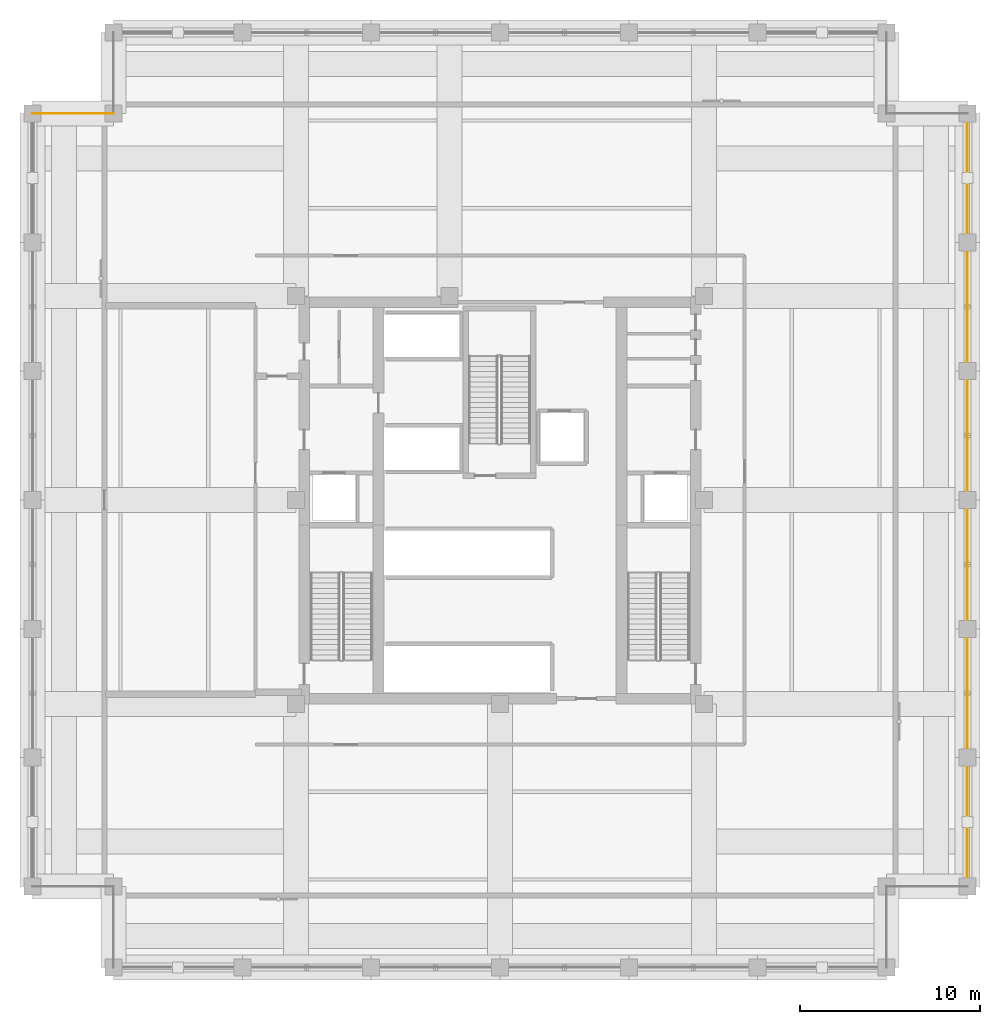
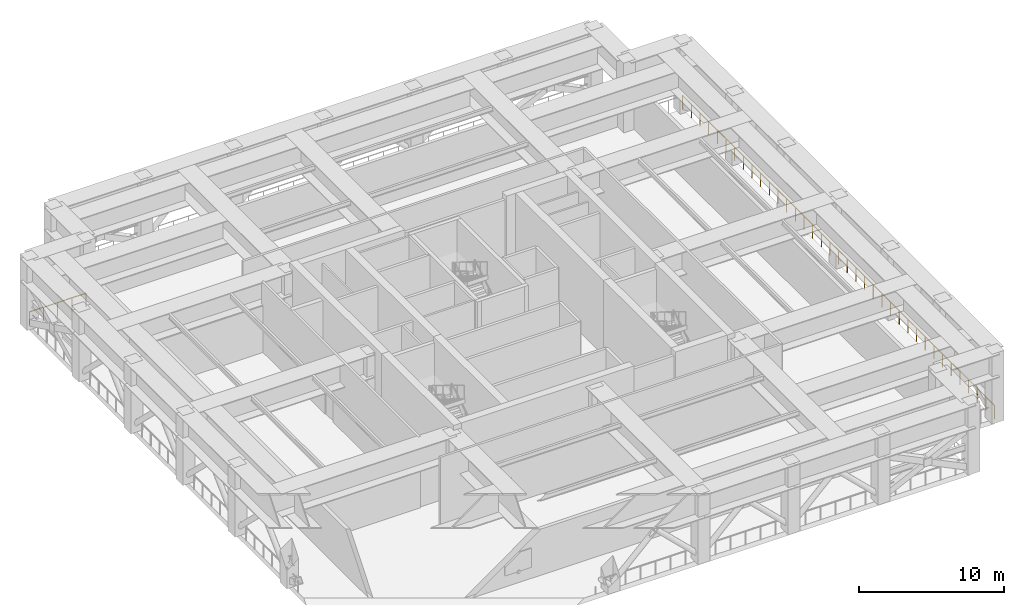
# One storey, part 10 of 12: 2 railings.
"""IFC4 building model written with IfcOpenShell, lengths in metres."""

import ifcopenshell
import ifcopenshell.guid

model = None  # the IFC model being written
_history = None  # IfcOwnerHistory: only IFC2X3 demands one
_inside = {}  # id of a spatial element -> (the spatial element, [elements in it])
_under = {}  # id of a project, library or spatial element -> (it, [spatial elements below it])
_declared = {}  # id of a project -> (the project, [libraries it declares])
_typed = {}  # id of a type object -> (the type object, [elements of that type])
_made_of = {}  # id of a material, layer set ... -> (it, [elements and type objects made of it])


def new_model(schema):
    """Start an empty IFC model of exactly this schema.

    Asked for "IFC4X3", IfcOpenShell would pick the latest addendum, in which some entities
    have other attributes; the version numbers below select the first issue.
    IFC2X3 requires an IfcOwnerHistory on every rooted entity: one is made here for all.
    """
    global model, _history
    if schema == "IFC4X3":
        model = ifcopenshell.file(schema_version=(4, 3, 0, 0))
    else:
        model = ifcopenshell.file(schema=schema)
    _inside.clear()
    _under.clear()
    _declared.clear()
    _typed.clear()
    _made_of.clear()
    _history = None
    if model.schema == "IFC2X3":
        org = make("IfcOrganization", Name="unknown")
        user = make(
            "IfcPersonAndOrganization",
            ThePerson=make("IfcPerson", FamilyName="unknown"),
            TheOrganization=org,
        )
        app = make(
            "IfcApplication",
            ApplicationDeveloper=org,
            Version="unknown",
            ApplicationFullName="unknown",
            ApplicationIdentifier="unknown",
        )
        _history = make(
            "IfcOwnerHistory",
            OwningUser=user,
            OwningApplication=app,
            ChangeAction="ADDED",
            CreationDate=0,
        )
    return model


def make(cls, **values):
    """One entity of the class cls with the attributes given. An attribute that is None is left unset."""
    return model.create_entity(
        cls, **{name: value for name, value in values.items() if value is not None}
    )


def rooted(cls, **values):
    """An entity with a GlobalId (a new one), such as an element, a storey or a relation."""
    return make(cls, GlobalId=ifcopenshell.guid.new(), OwnerHistory=_history, **values)


def si_unit(unit_type, name, prefix=None):
    """IfcSIUnit, for example si_unit("LENGTHUNIT", "METRE", prefix="MILLI")."""
    return make("IfcSIUnit", UnitType=unit_type, Prefix=prefix, Name=name)


def assignment(units):
    """IfcUnitAssignment: the units of a project."""
    return None if units is None else make("IfcUnitAssignment", Units=units)


def point(xyz):
    """IfcCartesianPoint."""
    return None if xyz is None else make("IfcCartesianPoint", Coordinates=xyz)


def direction(xyz):
    """IfcDirection."""
    return None if xyz is None else make("IfcDirection", DirectionRatios=xyz)


def frame(location, z_axis=None, x_axis=None):
    """IfcAxis2Placement3D, a coordinate frame: its origin and axes. An axis left out is left unset."""
    return make(
        "IfcAxis2Placement3D",
        Location=point(location),
        Axis=direction(z_axis),
        RefDirection=direction(x_axis),
    )


def frame_2d(location, x_axis=None):
    """IfcAxis2Placement2D, a coordinate frame in the plane: its origin and x axis."""
    return make(
        "IfcAxis2Placement2D", Location=point(location), RefDirection=direction(x_axis)
    )


def origin():
    """The frame at (0, 0, 0) with its axes left unset."""
    return frame((0.0, 0.0, 0.0))


def origin_2d():
    """The frame at (0, 0) in the plane with its x axis left unset."""
    return frame_2d((0.0, 0.0))


def place(relative_to, where):
    """IfcLocalPlacement: puts the frame where relative to a parent placement (None: the world)."""
    return make(
        "IfcLocalPlacement", PlacementRelTo=relative_to, RelativePlacement=where
    )


def context(
    kind, dimensions, precision=None, world=None, true_north=None, identifier=None
):
    """IfcGeometricRepresentationContext, for example the 3D "Model" context."""
    return make(
        "IfcGeometricRepresentationContext",
        ContextIdentifier=identifier,
        ContextType=kind,
        CoordinateSpaceDimension=dimensions,
        Precision=precision,
        WorldCoordinateSystem=world,
        TrueNorth=true_north,
    )


def subcontext(parent, identifier, kind, view, scale=None):
    """IfcGeometricRepresentationSubContext, for example "Body" below "Model"."""
    return make(
        "IfcGeometricRepresentationSubContext",
        ContextIdentifier=identifier,
        ContextType=kind,
        ParentContext=parent,
        TargetScale=scale,
        TargetView=view,
    )


def project(units=None, contexts=None):
    """IfcProject with its units and contexts."""
    return rooted(
        "IfcProject",
        Name="project",
        RepresentationContexts=contexts,
        UnitsInContext=assignment(units),
    )


def spatial(cls, under=None, at=None, **own):
    """A site, building, storey or space (cls), placed at a placement, below another one or the project."""
    s = rooted(cls, ObjectPlacement=at, **own)
    if under is not None:
        _under.setdefault(under.id(), (under, []))[1].append(s)
    return s


def profile(cls, at=None, kind="AREA", **sizes):
    """A parametric profile (cls). Its sizes go by their IFC names, for example OverallWidth=200.0."""
    return make(cls, ProfileType=kind, Position=at, **sizes)


def circle(**sizes):
    """IfcCircleProfileDef."""
    return profile("IfcCircleProfileDef", **sizes)


def extrude(swept, where, along, depth):
    """IfcExtrudedAreaSolid: the profile swept, set in the frame where, extruded along a direction by depth."""
    return make(
        "IfcExtrudedAreaSolid",
        SweptArea=swept,
        Position=where,
        ExtrudedDirection=direction(along),
        Depth=depth,
    )


def shape(context_of_items, identifier, shape_type, items):
    """IfcShapeRepresentation: the items that make up one representation, for example the "Body"."""
    return make(
        "IfcShapeRepresentation",
        ContextOfItems=context_of_items,
        RepresentationIdentifier=identifier,
        RepresentationType=shape_type,
        Items=items,
    )


def material(Name=None, Category=None):
    """IfcMaterial."""
    return make("IfcMaterial", Name=Name, Category=Category)


def made_of(thing, what):
    """Note that an element or type object is made of a material, layer set ...; save() writes the relation."""
    if what is not None:
        _made_of.setdefault(what.id(), (what, []))[1].append(thing)
    return thing


def type_object(cls, material=None, **own):
    """A type object (cls), such as IfcWallType, which elements share."""
    return made_of(rooted(cls, **own), material)


def element(
    cls,
    number,
    at=None,
    inside=None,
    cuts=None,
    type_object=None,
    material=None,
    context=None,
    identifier="Body",
    shape_type=None,
    held_by="IfcProductDefinitionShape",
    body=None,
    shapes=None,
    **own,
):
    """One element of the class cls, such as IfcWall. Its Tag is "e" and its number.

    at: its placement. inside: the storey or other place that contains it. cuts: it is an
    opening in that element (IfcRelVoidsElement). A single representation is given by context,
    identifier, shape_type and body (its items); several are given by shapes. held_by: the class
    of the entity that holds the representations. save() writes the other relations.
    """
    e = rooted(cls, Tag="e%d" % number, ObjectPlacement=at, **own)
    if body is not None:
        shapes = [shape(context, identifier, shape_type, body)]
    if shapes is not None:
        e.Representation = make(held_by, Representations=shapes)
    if inside is not None:
        _inside.setdefault(inside.id(), (inside, []))[1].append(e)
    if cuts is not None:
        rooted(
            "IfcRelVoidsElement", RelatingBuildingElement=cuts, RelatedOpeningElement=e
        )
    if type_object is not None:
        _typed.setdefault(type_object.id(), (type_object, []))[1].append(e)
    return made_of(e, material)


def aggregate(whole, parts):
    """IfcRelAggregates: a whole, such as a stair, and the parts it consists of."""
    return rooted("IfcRelAggregates", RelatingObject=whole, RelatedObjects=parts)


def save(model, path):
    """Write the relations noted so far, then the file.

    IfcRelAggregates (storeys below a building ...), IfcRelContainedInSpatialStructure (elements
    in a storey), IfcRelDefinesByType, IfcRelAssociatesMaterial and IfcRelDeclares: one each for
    every whole, place, type object, material and project.
    """
    for whole, parts in _under.values():
        aggregate(whole, parts)
    for where, things in _inside.values():
        rooted(
            "IfcRelContainedInSpatialStructure",
            RelatedElements=things,
            RelatingStructure=where,
        )
    for kind, things in _typed.values():
        rooted("IfcRelDefinesByType", RelatedObjects=things, RelatingType=kind)
    for what, things in _made_of.values():
        rooted("IfcRelAssociatesMaterial", RelatedObjects=things, RelatingMaterial=what)
    for by, libraries in _declared.values():
        rooted("IfcRelDeclares", RelatingContext=by, RelatedDefinitions=libraries)
    model.write(path)


model = new_model("IFC4")

# Units and contexts
model_context = context("Model", 3, precision=1e-05, world=origin(), true_north=direction((0.0, 1.0)))
body_context = subcontext(model_context, "Body", "Model", "MODEL_VIEW")
ifc_project = project(units=[si_unit("LENGTHUNIT", "METRE"), si_unit("AREAUNIT", "SQUARE_METRE"), si_unit("VOLUMEUNIT", "CUBIC_METRE"), si_unit("PLANEANGLEUNIT", "RADIAN"), si_unit("MASSUNIT", "GRAM", prefix="KILO")], contexts=[model_context])

# Site, building, storey
site_placement = place(None, origin())
site = spatial("IfcSite", under=ifc_project, at=site_placement, CompositionType="ELEMENT")
building_placement = place(site_placement, origin())
building = spatial("IfcBuilding", under=site, at=building_placement, Name="Nhamokura Convention Tower", CompositionType="ELEMENT")
storey_placement = place(building_placement, frame((0.0, 0.0, 176.050048828125)))
storey = spatial("IfcBuildingStorey", under=building, at=storey_placement, Name="L43", CompositionType="ELEMENT", Elevation=176.050048828125)

# Railings
ifc_material = material(Name="Anodised bronze stainless steel", Category="steel")
railing_type = type_object("IfcRailingType", Name="TerraceGuardrail_1150", PredefinedType="GUARDRAIL", material=ifc_material)
railing_1_placement = place(storey_placement, frame((58.0, 10.5, 0.0)))
element("IfcRailing", 1, at=railing_1_placement, inside=storey, type_object=railing_type, Name="L43 Perimeter Guardrail 04", PredefinedType="GUARDRAIL", context=body_context, shape_type="SweptSolid", body=[
    extrude(circle(Radius=0.02392578125, at=origin_2d()), frame((0.0, 0.0, 1.1259765625), z_axis=(0.0, 1.0, 0.0), x_axis=(-1.0, 0.0, 0.0)), (0.0, 0.0, 1.0), 43.0),
    extrude(circle(Radius=0.02099609375, at=origin_2d()), origin(), (0.0, 0.0, 1.0), 1.101806640625),
    extrude(circle(Radius=0.02099609375, at=origin_2d()), frame((0.0, 1.1943359375, 0.0)), (0.0, 0.0, 1.0), 1.101806640625),
    extrude(circle(Radius=0.02099609375, at=origin_2d()), frame((0.0, 2.388916015625, 0.0)), (0.0, 0.0, 1.0), 1.101806640625),
    extrude(circle(Radius=0.02099609375, at=origin_2d()), frame((0.0, 3.583251953125, 0.0)), (0.0, 0.0, 1.0), 1.101806640625),
    extrude(circle(Radius=0.02099609375, at=origin_2d()), frame((0.0, 4.77783203125, 0.0)), (0.0, 0.0, 1.0), 1.101806640625),
    extrude(circle(Radius=0.02099609375, at=origin_2d()), frame((0.0, 5.97216796875, 0.0)), (0.0, 0.0, 1.0), 1.101806640625),
    extrude(circle(Radius=0.02099609375, at=origin_2d()), frame((0.0, 7.166748046875, 0.0)), (0.0, 0.0, 1.0), 1.101806640625),
    extrude(circle(Radius=0.02099609375, at=origin_2d()), frame((0.0, 8.361083984375, 0.0)), (0.0, 0.0, 1.0), 1.101806640625),
    extrude(circle(Radius=0.02099609375, at=origin_2d()), frame((0.0, 9.5556640625, 0.0)), (0.0, 0.0, 1.0), 1.101806640625),
    extrude(circle(Radius=0.02099609375, at=origin_2d()), frame((0.0, 10.75, 0.0)), (0.0, 0.0, 1.0), 1.101806640625),
    extrude(circle(Radius=0.02099609375, at=origin_2d()), frame((0.0, 11.9443359375, 0.0)), (0.0, 0.0, 1.0), 1.101806640625),
    extrude(circle(Radius=0.02099609375, at=origin_2d()), frame((0.0, 13.138916015625, 0.0)), (0.0, 0.0, 1.0), 1.101806640625),
    extrude(circle(Radius=0.02099609375, at=origin_2d()), frame((0.0, 14.333251953125, 0.0)), (0.0, 0.0, 1.0), 1.101806640625),
    extrude(circle(Radius=0.02099609375, at=origin_2d()), frame((0.0, 15.52783203125, 0.0)), (0.0, 0.0, 1.0), 1.101806640625),
    extrude(circle(Radius=0.02099609375, at=origin_2d()), frame((0.0, 16.72216796875, 0.0)), (0.0, 0.0, 1.0), 1.101806640625),
    extrude(circle(Radius=0.02099609375, at=origin_2d()), frame((0.0, 17.916748046875, 0.0)), (0.0, 0.0, 1.0), 1.101806640625),
    extrude(circle(Radius=0.02099609375, at=origin_2d()), frame((0.0, 19.111083984375, 0.0)), (0.0, 0.0, 1.0), 1.101806640625),
    extrude(circle(Radius=0.02099609375, at=origin_2d()), frame((0.0, 20.3056640625, 0.0)), (0.0, 0.0, 1.0), 1.101806640625),
    extrude(circle(Radius=0.02099609375, at=origin_2d()), frame((0.0, 21.5, 0.0)), (0.0, 0.0, 1.0), 1.101806640625),
    extrude(circle(Radius=0.02099609375, at=origin_2d()), frame((0.0, 22.6943359375, 0.0)), (0.0, 0.0, 1.0), 1.101806640625),
    extrude(circle(Radius=0.02099609375, at=origin_2d()), frame((0.0, 23.888916015625, 0.0)), (0.0, 0.0, 1.0), 1.101806640625),
    extrude(circle(Radius=0.02099609375, at=origin_2d()), frame((0.0, 25.083251953125, 0.0)), (0.0, 0.0, 1.0), 1.101806640625),
    extrude(circle(Radius=0.02099609375, at=origin_2d()), frame((0.0, 26.27783203125, 0.0)), (0.0, 0.0, 1.0), 1.101806640625),
    extrude(circle(Radius=0.02099609375, at=origin_2d()), frame((0.0, 27.47216796875, 0.0)), (0.0, 0.0, 1.0), 1.101806640625),
    extrude(circle(Radius=0.02099609375, at=origin_2d()), frame((0.0, 28.666748046875, 0.0)), (0.0, 0.0, 1.0), 1.101806640625),
    extrude(circle(Radius=0.02099609375, at=origin_2d()), frame((0.0, 29.861083984375, 0.0)), (0.0, 0.0, 1.0), 1.101806640625),
    extrude(circle(Radius=0.02099609375, at=origin_2d()), frame((0.0, 31.0556640625, 0.0)), (0.0, 0.0, 1.0), 1.101806640625),
    extrude(circle(Radius=0.02099609375, at=origin_2d()), frame((0.0, 32.25, 0.0)), (0.0, 0.0, 1.0), 1.101806640625),
    extrude(circle(Radius=0.02099609375, at=origin_2d()), frame((0.0, 33.4443359375, 0.0)), (0.0, 0.0, 1.0), 1.101806640625),
    extrude(circle(Radius=0.02099609375, at=origin_2d()), frame((0.0, 34.638916015625, 0.0)), (0.0, 0.0, 1.0), 1.101806640625),
    extrude(circle(Radius=0.02099609375, at=origin_2d()), frame((0.0, 35.833251953125, 0.0)), (0.0, 0.0, 1.0), 1.101806640625),
    extrude(circle(Radius=0.02099609375, at=origin_2d()), frame((0.0, 37.02783203125, 0.0)), (0.0, 0.0, 1.0), 1.101806640625),
    extrude(circle(Radius=0.02099609375, at=origin_2d()), frame((0.0, 38.22216796875, 0.0)), (0.0, 0.0, 1.0), 1.101806640625),
    extrude(circle(Radius=0.02099609375, at=origin_2d()), frame((0.0, 39.416748046875, 0.0)), (0.0, 0.0, 1.0), 1.101806640625),
    extrude(circle(Radius=0.02099609375, at=origin_2d()), frame((0.0, 40.611083984375, 0.0)), (0.0, 0.0, 1.0), 1.101806640625),
    extrude(circle(Radius=0.02099609375, at=origin_2d()), frame((0.0, 41.8056640625, 0.0)), (0.0, 0.0, 1.0), 1.101806640625),
    extrude(circle(Radius=0.02099609375, at=origin_2d()), frame((0.0, 43.0, 0.0)), (0.0, 0.0, 1.0), 1.101806640625),
])
railing_2_placement = place(storey_placement, frame((10.5, 53.5, 0.0)))
element("IfcRailing", 2, at=railing_2_placement, inside=storey, type_object=railing_type, Name="L43 Perimeter Guardrail 09", PredefinedType="GUARDRAIL", context=body_context, shape_type="SweptSolid", body=[
    extrude(circle(Radius=0.02392578125, at=origin_2d()), frame((0.0, 0.0, 1.1259765625), z_axis=(-1.0, 0.0, 0.0), x_axis=(0.0, -1.0, 0.0)), (0.0, 0.0, 1.0), 4.5),
    extrude(circle(Radius=0.02099609375, at=origin_2d()), origin(), (0.0, 0.0, 1.0), 1.101806640625),
    extrude(circle(Radius=0.02099609375, at=origin_2d()), frame((-1.125, 0.0, 0.0)), (0.0, 0.0, 1.0), 1.101806640625),
    extrude(circle(Radius=0.02099609375, at=origin_2d()), frame((-2.25, 0.0, 0.0)), (0.0, 0.0, 1.0), 1.101806640625),
    extrude(circle(Radius=0.02099609375, at=origin_2d()), frame((-3.375, 0.0, 0.0)), (0.0, 0.0, 1.0), 1.101806640625),
    extrude(circle(Radius=0.02099609375, at=origin_2d()), frame((-4.5, 0.0, 0.0)), (0.0, 0.0, 1.0), 1.101806640625),
])

save(model, "model.ifc")
